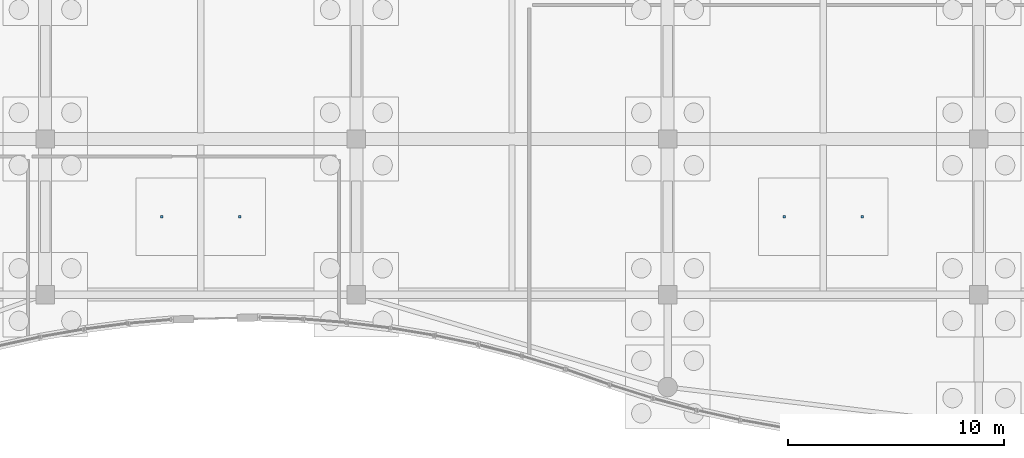
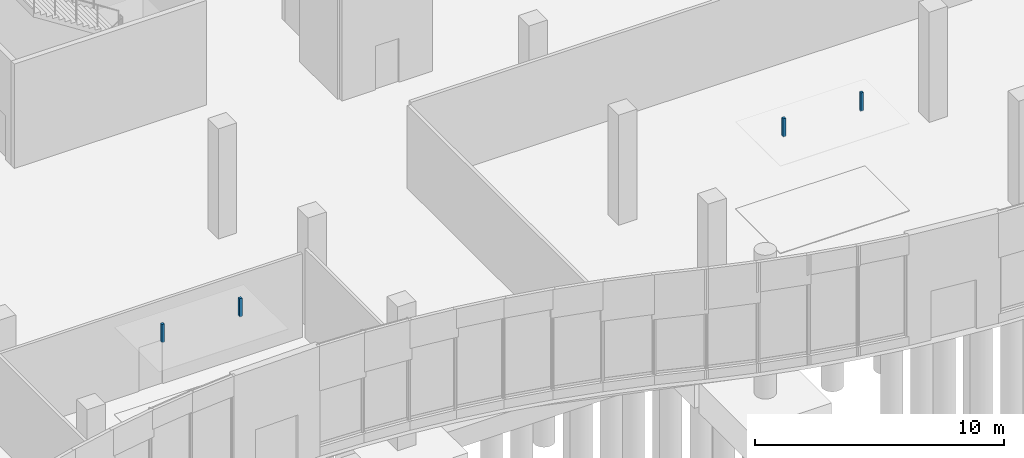
# One storey, part 154 of 192: 4 discrete accessories.
"""IFC4 building model written with IfcOpenShell, lengths in metres."""

from ifc_helpers import new_model, si_unit, direction, frame, origin, origin_2d, place, context, subcontext, project, spatial, rectangle, extrude, material, type_object, element, save


model = new_model("IFC4")

# Units and contexts
model_context = context("Model", 3, precision=1e-05, world=origin(), true_north=direction((0.0, 1.0)))
body_context = subcontext(model_context, "Body", "Model", "MODEL_VIEW")
ifc_project = project(units=[si_unit("LENGTHUNIT", "METRE"), si_unit("AREAUNIT", "SQUARE_METRE"), si_unit("VOLUMEUNIT", "CUBIC_METRE"), si_unit("PLANEANGLEUNIT", "RADIAN"), si_unit("MASSUNIT", "GRAM", prefix="KILO")], contexts=[model_context])

# Site, building, storey
site_placement = place(None, origin())
site = spatial("IfcSite", under=ifc_project, at=site_placement, CompositionType="ELEMENT")
building_placement = place(site_placement, origin())
building = spatial("IfcBuilding", under=site, at=building_placement, Name="Cendralis Lancet Convention Centre", CompositionType="ELEMENT")
storey_placement = place(building_placement, origin())
storey = spatial("IfcBuildingStorey", under=building, at=storey_placement, Name="L00", CompositionType="ELEMENT", Elevation=0.0)

# Discrete accessories
ifc_material = material(Name="Steel S355", Category="steel")
discrete_accessory_type = type_object("IfcDiscreteAccessoryType", Name="ARC-BRK-CLG", PredefinedType="BRACKET", material=ifc_material)
for number, where, z_axis, x_axis, name in (
    (1, (19.800048828125, 10.800048828125, 4.27001953125), (0.0, 0.0, 1.0), (1.0, 0.0, 0.0), "L00 Ceiling Suspension Bracket #01-1"),
    (2, (23.39990234375, 10.800048828125, 4.27001953125), (0.0, 0.0, 1.0), (1.0, 0.0, 0.0), "L00 Ceiling Suspension Bracket #01-2"),
    (3, (48.60009765625, 10.800048828125, 4.27001953125), (0.0, 0.0, 1.0), (1.0, 0.0, 0.0), "L00 Ceiling Suspension Bracket #02-1"),
    (4, (52.199951171875, 10.800048828125, 4.27001953125), (0.0, 0.0, 1.0), (1.0, 0.0, 0.0), "L00 Ceiling Suspension Bracket #02-2"),
):
    element("IfcDiscreteAccessory", number, at=place(storey_placement, frame(where, z_axis=z_axis, x_axis=x_axis)), inside=storey, type_object=discrete_accessory_type, Name=name, PredefinedType="BRACKET", context=body_context, shape_type="SweptSolid", body=[
        extrude(rectangle(XDim=0.1201171875, YDim=0.1201171875, at=origin_2d()), origin(), (0.0, 0.0, 1.0), 0.889892578125),
    ])

save(model, "model.ifc")
